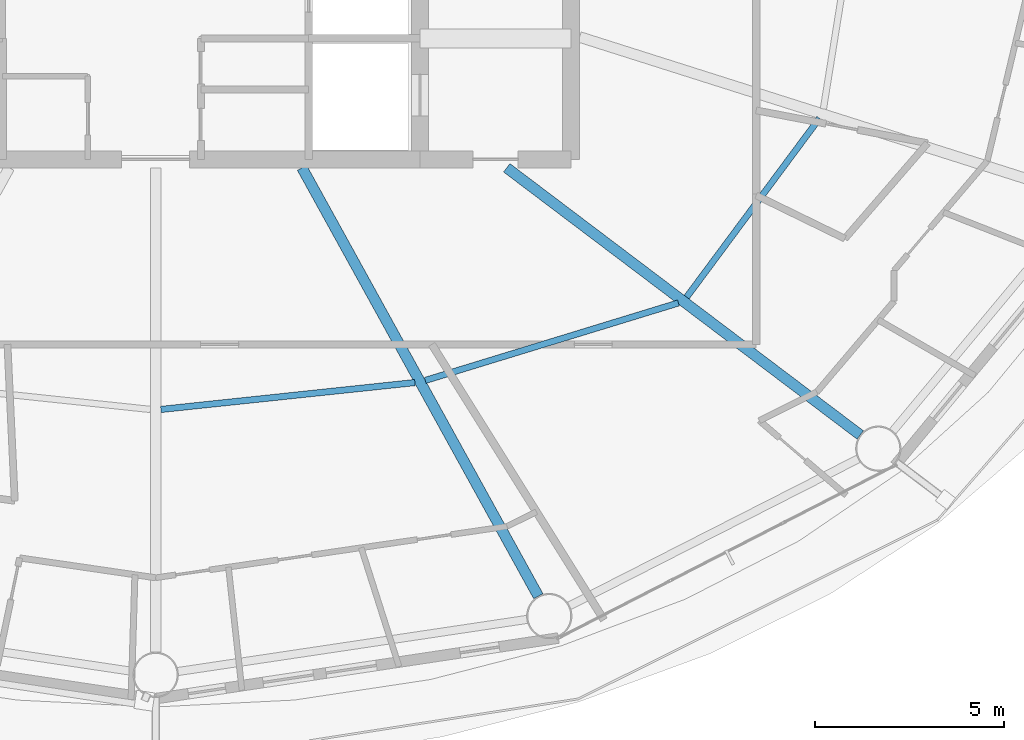
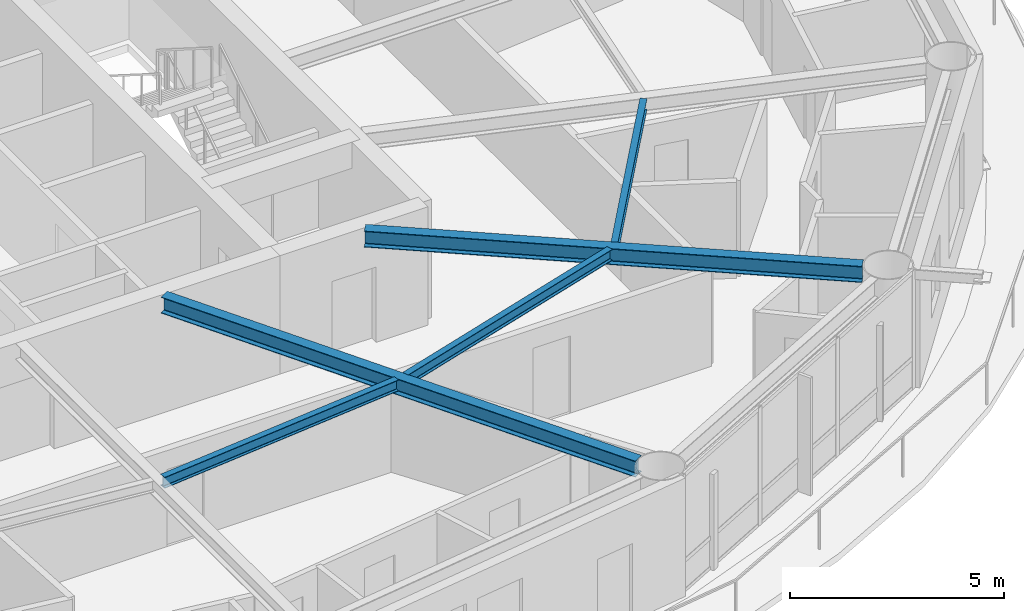
# One storey, part 6 of 28: 5 beams.
"""IFC4 building model written with IfcOpenShell, lengths in metres."""

from ifc_helpers import new_model, si_unit, direction, frame, origin, origin_2d, place, context, subcontext, project, spatial, i_section, extrude, material, material_profile, profile_set, type_object, element, save


model = new_model("IFC4")

# Units and contexts
model_context = context("Model", 3, precision=1e-05, world=origin(), true_north=direction((0.0, 1.0)))
body_context = subcontext(model_context, "Body", "Model", "MODEL_VIEW")
ifc_project = project(units=[si_unit("LENGTHUNIT", "METRE"), si_unit("AREAUNIT", "SQUARE_METRE"), si_unit("VOLUMEUNIT", "CUBIC_METRE"), si_unit("PLANEANGLEUNIT", "RADIAN"), si_unit("MASSUNIT", "GRAM", prefix="KILO")], contexts=[model_context])

# Site, building, storey
site_placement = place(None, origin())
site = spatial("IfcSite", under=ifc_project, at=site_placement, CompositionType="ELEMENT")
building_placement = place(site_placement, origin())
building = spatial("IfcBuilding", under=site, at=building_placement, Name="Sarneth Arch Tower", CompositionType="ELEMENT")
storey_placement = place(building_placement, frame((0.0, 0.0, 190.199951171875)))
storey = spatial("IfcBuildingStorey", under=building, at=storey_placement, Name="L48", CompositionType="ELEMENT", Elevation=190.199951171875)

# Beams
ifc_material_1 = material(Name="Steel S355", Category="steel")
ifc_material_profile_1 = material_profile(ifc_material_1, i_section(OverallWidth=0.1669921875, OverallDepth=0.31689453125, WebThickness=0.007568359375, FlangeThickness=0.01318359375, FilletRadius=0.012939453125, at=origin_2d()), Name="W310x52")
ifc_profile_set_1 = profile_set([ifc_material_profile_1], Name="Steel S355")
beam_type_1 = type_object("IfcBeamType", Name="BM-JOIST-310B", PredefinedType="JOIST", material=ifc_profile_set_1)
beam_1_placement = place(storey_placement, frame((48.13916015625, 28.5771484375, 3.221435546875), z_axis=(0.994447340543, 0.105235387994, 0.0), x_axis=(-0.105235387994, 0.994447340543, 0.0)))
element("IfcBeam", 1, at=beam_1_placement, inside=storey, type_object=beam_type_1, Name="L48 Secondary floor joist 13", PredefinedType="JOIST", context=body_context, shape_type="SweptSolid", body=[
    extrude(i_section(OverallWidth=0.1669921875, OverallDepth=0.31689453125, WebThickness=0.007568359375, FlangeThickness=0.01318359375, FilletRadius=0.012939453125, at=origin_2d()), origin(), (0.0, 0.0, 1.0), 6.7626953125),
])
beam_2_placement = place(storey_placement, frame((55.137451171875, 29.344482421875, 3.221435546875), z_axis=(0.956178669891, 0.292783796076, 0.0), x_axis=(-0.292783796076, 0.956178669891, 0.0)))
element("IfcBeam", 2, at=beam_2_placement, inside=storey, type_object=beam_type_1, Name="L48 Secondary floor joist 14", PredefinedType="JOIST", context=body_context, shape_type="SweptSolid", body=[
    extrude(i_section(OverallWidth=0.1669921875, OverallDepth=0.31689453125, WebThickness=0.007568359375, FlangeThickness=0.01318359375, FilletRadius=0.012939453125, at=origin_2d()), origin(), (0.0, 0.0, 1.0), 7.010986328125),
])
beam_3_placement = place(storey_placement, frame((62.058837890625, 31.550537109375, 3.221435546875), z_axis=(0.596190586674, 0.802842938788, 0.0), x_axis=(-0.802842938788, 0.596190586674, 0.0)))
element("IfcBeam", 3, at=beam_3_placement, inside=storey, type_object=beam_type_1, Name="L48 Secondary floor joist 15", PredefinedType="JOIST", context=body_context, shape_type="SweptSolid", body=[
    extrude(i_section(OverallWidth=0.1669921875, OverallDepth=0.31689453125, WebThickness=0.007568359375, FlangeThickness=0.01318359375, FilletRadius=0.012939453125, at=origin_2d()), origin(), (0.0, 0.0, 1.0), 5.896484375),
])
ifc_material_2 = material(Name="Steel S355", Category="steel")
ifc_material_profile_2 = material_profile(ifc_material_2, i_section(OverallWidth=0.280029296875, OverallDepth=0.462890625, WebThickness=0.0107421875, FlangeThickness=0.017333984375, FilletRadius=0.01806640625, at=origin_2d()), Name="W460x113")
ifc_profile_set_2 = profile_set([ifc_material_profile_2], Name="Steel S355")
beam_type_2 = type_object("IfcBeamType", Name="BM-RAD-460A", PredefinedType="BEAM", material=ifc_profile_set_2)
beam_4_placement = place(storey_placement, frame((51.875, 34.97509765625, 3.1484375), z_axis=(0.483010082599, -0.875614789795, 0.0), x_axis=(0.875614789795, 0.483010082599, 0.0)))
element("IfcBeam", 4, at=beam_4_placement, inside=storey, type_object=beam_type_2, Name="L48 Radial floor girder 14", PredefinedType="BEAM", context=body_context, shape_type="SweptSolid", body=[
    extrude(i_section(OverallWidth=0.280029296875, OverallDepth=0.462890625, WebThickness=0.0107421875, FlangeThickness=0.017333984375, FilletRadius=0.01806640625, at=origin_2d()), origin(), (0.0, 0.0, 1.0), 12.954345703125),
])
beam_5_placement = place(storey_placement, frame((57.29541015625, 34.97509765625, 3.1484375), z_axis=(0.797784574467, -0.602942594898, 0.0), x_axis=(0.602942594898, 0.797784574467, 0.0)))
element("IfcBeam", 5, at=beam_5_placement, inside=storey, type_object=beam_type_2, Name="L48 Radial floor girder 15", PredefinedType="BEAM", context=body_context, shape_type="SweptSolid", body=[
    extrude(i_section(OverallWidth=0.280029296875, OverallDepth=0.462890625, WebThickness=0.0107421875, FlangeThickness=0.017333984375, FilletRadius=0.01806640625, at=origin_2d()), origin(), (0.0, 0.0, 1.0), 11.73193359375),
])

save(model, "model.ifc")
